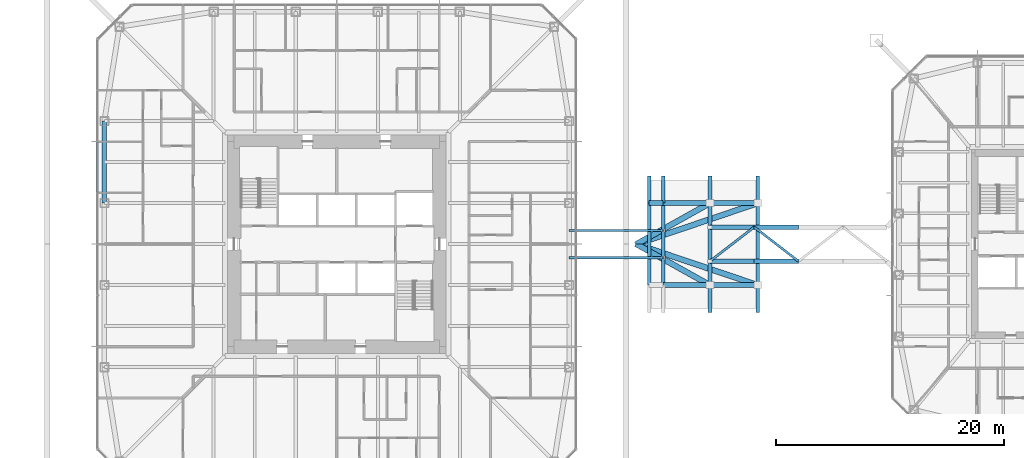
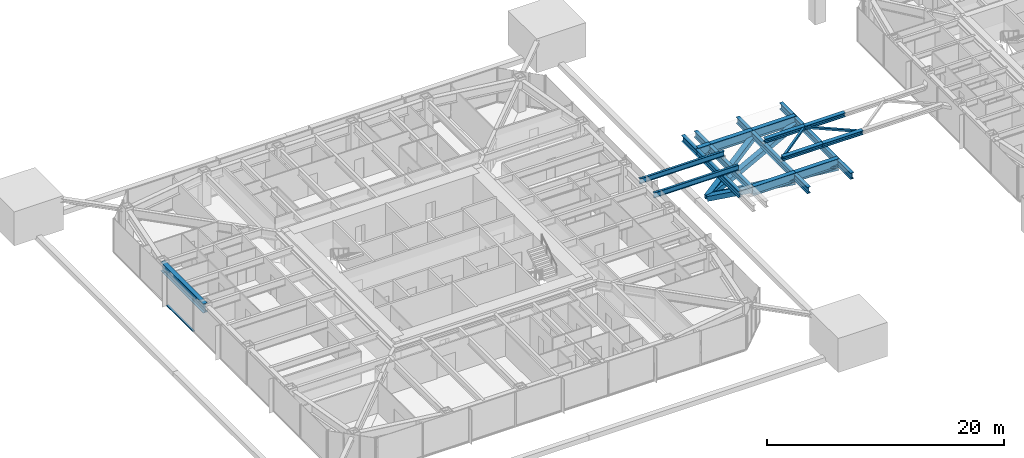
# One storey, part 5 of 26: 18 beams, 11 members, 1 element without a shape of its own.
"""IFC4 building model written with IfcOpenShell, lengths in metres."""

from ifc_helpers import new_model, si_unit, direction, frame, origin, origin_2d, place, context, subcontext, project, spatial, rectangle, hollow_rectangle, i_section, extrude, material, material_profile, profile_set, type_object, element, aggregate, save


model = new_model("IFC4")

# Units and contexts
model_context = context("Model", 3, precision=1e-05, world=origin(), true_north=direction((0.0, 1.0)))
body_context = subcontext(model_context, "Body", "Model", "MODEL_VIEW")
ifc_project = project(units=[si_unit("LENGTHUNIT", "METRE"), si_unit("AREAUNIT", "SQUARE_METRE"), si_unit("VOLUMEUNIT", "CUBIC_METRE"), si_unit("PLANEANGLEUNIT", "RADIAN"), si_unit("MASSUNIT", "GRAM", prefix="KILO")], contexts=[model_context])

# Site, building, storey
site_placement = place(None, origin())
site = spatial("IfcSite", under=ifc_project, at=site_placement, CompositionType="ELEMENT")
building_placement = place(site_placement, origin())
building = spatial("IfcBuilding", under=site, at=building_placement, Name="Iwan Alto Co-Living Towers", CompositionType="ELEMENT")
storey_placement = place(building_placement, frame((0.0, 0.0, 126.0)))
storey = spatial("IfcBuildingStorey", under=building, at=storey_placement, Name="L34", CompositionType="ELEMENT", Elevation=126.0)

# Beams
ifc_material_1 = material(Name="Steel ASTM A992 Gr 50", Category="steel")
ifc_material_profile_1 = material_profile(ifc_material_1, i_section(OverallWidth=0.2109375, OverallDepth=0.53857421875, WebThickness=0.011474609375, FlangeThickness=0.018798828125, at=origin_2d()), Name="W21X73")
ifc_profile_set_1 = profile_set([ifc_material_profile_1], Name="Steel ASTM A992 Gr 50")
beam_type_1 = type_object("IfcBeamType", Name="BRIDGE LANDING BEAM W21X73", PredefinedType="BEAM", material=ifc_profile_set_1)
for number, where, z_axis, x_axis, name in (
    (1, (20.39990234375, -1.194580078125, 3.03076171875), (1.0, 0.0, 0.0), (0.0, 1.0, 0.0), "BR2 walkway stringer S"),
    (2, (20.39990234375, 1.194580078125, 3.03076171875), (1.0, 0.0, 0.0), (0.0, 1.0, 0.0), "BR2 walkway stringer N"),
):
    element("IfcBeam", number, at=place(storey_placement, frame(where, z_axis=z_axis, x_axis=x_axis)), inside=storey, type_object=beam_type_1, Name=name, PredefinedType="BEAM", context=body_context, shape_type="SweptSolid", body=[
        extrude(i_section(OverallWidth=0.2109375, OverallDepth=0.53857421875, WebThickness=0.011474609375, FlangeThickness=0.018798828125, at=origin_2d()), origin(), (0.0, 0.0, 1.0), 8.25),
    ])

# Members
ifc_material_2 = material(Name="Steel ASTM A500 Gr C", Category="steel")
ifc_material_profile_2 = material_profile(ifc_material_2, hollow_rectangle(XDim=0.203125, YDim=0.203125, WallThickness=0.01171875, at=origin_2d()), Name="HSS8X8X1/2")
ifc_profile_set_2 = profile_set([ifc_material_profile_2], Name="Steel ASTM A500 Gr C")
member_type_1 = type_object("IfcMemberType", Name="BRIDGE PLAN BRACE HSS8X8X1/2", PredefinedType="BRACE", material=ifc_profile_set_2)
for number, where, z_axis, x_axis, name in (
    (3, (32.75, -1.5, 2.720947265625), (0.791673009044, 0.61094504397, 0.0), (-0.61094504397, 0.791673009044, 0.0), "BR2 plan brace 1"),
    (4, (36.637451171875, 1.5, 2.720947265625), (0.791673009044, -0.61094504397, 0.0), (0.61094504397, 0.791673009044, 0.0), "BR2 plan brace 2"),
):
    element("IfcMember", number, at=place(storey_placement, frame(where, z_axis=z_axis, x_axis=x_axis)), inside=storey, type_object=member_type_1, Name=name, PredefinedType="BRACE", context=body_context, shape_type="SweptSolid", body=[
        extrude(hollow_rectangle(XDim=0.203125, YDim=0.203125, WallThickness=0.01171875, at=origin_2d()), origin(), (0.0, 0.0, 1.0), 4.910400390625),
    ])

# Beams
ifc_material_3 = material(Name="Steel ASTM A992 Gr 50", Category="steel")
ifc_material_profile_3 = material_profile(ifc_material_3, i_section(OverallWidth=0.424072265625, OverallDepth=0.947509765625, WebThickness=0.02392578125, FlangeThickness=0.042724609375, at=origin_2d()), Name="W36X302")
ifc_profile_set_3 = profile_set([ifc_material_profile_3], Name="Steel ASTM A992 Gr 50")
beam_type_2 = type_object("IfcBeamType", Name="BRIDGE POD EDGE GIRDER W36X302", PredefinedType="BEAM", material=ifc_profile_set_3)
beam_1_placement = place(storey_placement, frame((28.64990234375, -3.60009765625, 2.11767578125), z_axis=(1.0, 0.0, 0.0), x_axis=(0.0, 1.0, 0.0)))
element("IfcBeam", 5, at=beam_1_placement, inside=storey, type_object=beam_type_2, Name="BR2 landing grillage edge girder S 2", PredefinedType="BEAM", context=body_context, shape_type="SweptSolid", body=[
    extrude(i_section(OverallWidth=0.424072265625, OverallDepth=0.947509765625, WebThickness=0.02392578125, FlangeThickness=0.042724609375, at=origin_2d()), origin(), (0.0, 0.0, 1.0), 4.10009765625),
])
beam_2_placement = place(storey_placement, frame((32.75, -3.60009765625, 2.11767578125), z_axis=(1.0, 0.0, 0.0), x_axis=(0.0, 1.0, 0.0)))
element("IfcBeam", 6, at=beam_2_placement, inside=storey, type_object=beam_type_2, Name="BR2 landing grillage edge girder S 3", PredefinedType="BEAM", context=body_context, shape_type="SweptSolid", body=[
    extrude(i_section(OverallWidth=0.424072265625, OverallDepth=0.947509765625, WebThickness=0.02392578125, FlangeThickness=0.042724609375, at=origin_2d()), origin(), (0.0, 0.0, 1.0), 4.199951171875),
])
beam_3_placement = place(storey_placement, frame((27.423828125, 3.60009765625, 2.11767578125), z_axis=(1.0, 0.0, 0.0), x_axis=(0.0, 1.0, 0.0)))
element("IfcBeam", 7, at=beam_3_placement, inside=storey, type_object=beam_type_2, Name="BR2 landing grillage edge girder N 1", PredefinedType="BEAM", context=body_context, shape_type="SweptSolid", body=[
    extrude(i_section(OverallWidth=0.424072265625, OverallDepth=0.947509765625, WebThickness=0.02392578125, FlangeThickness=0.042724609375, at=origin_2d()), origin(), (0.0, 0.0, 1.0), 1.22607421875),
])
beam_4_placement = place(storey_placement, frame((28.64990234375, 3.60009765625, 2.11767578125), z_axis=(1.0, 0.0, 0.0), x_axis=(0.0, 1.0, 0.0)))
element("IfcBeam", 8, at=beam_4_placement, inside=storey, type_object=beam_type_2, Name="BR2 landing grillage edge girder N 2", PredefinedType="BEAM", context=body_context, shape_type="SweptSolid", body=[
    extrude(i_section(OverallWidth=0.424072265625, OverallDepth=0.947509765625, WebThickness=0.02392578125, FlangeThickness=0.042724609375, at=origin_2d()), origin(), (0.0, 0.0, 1.0), 4.10009765625),
])
beam_5_placement = place(storey_placement, frame((32.75, 3.60009765625, 2.11767578125), z_axis=(1.0, 0.0, 0.0), x_axis=(0.0, 1.0, 0.0)))
element("IfcBeam", 9, at=beam_5_placement, inside=storey, type_object=beam_type_2, Name="BR2 landing grillage edge girder N 3", PredefinedType="BEAM", context=body_context, shape_type="SweptSolid", body=[
    extrude(i_section(OverallWidth=0.424072265625, OverallDepth=0.947509765625, WebThickness=0.02392578125, FlangeThickness=0.042724609375, at=origin_2d()), origin(), (0.0, 0.0, 1.0), 4.199951171875),
])
ifc_material_4 = material(Name="Steel ASTM A992 Gr 50", Category="steel")
ifc_material_profile_4 = material_profile(ifc_material_4, i_section(OverallWidth=0.32763671875, OverallDepth=0.64013671875, WebThickness=0.01904296875, FlangeThickness=0.033935546875, at=origin_2d()), Name="W24X176")
ifc_profile_set_4 = profile_set([ifc_material_profile_4], Name="Steel ASTM A992 Gr 50")
beam_type_3 = type_object("IfcBeamType", Name="BRIDGE POD GRILLAGE GIRDER W24X176", PredefinedType="BEAM", material=ifc_profile_set_4)
beam_6_placement = place(storey_placement, frame((27.423828125, -3.60009765625, 2.11767578125), z_axis=(0.0, 1.0, 0.0), x_axis=(-1.0, 0.0, 0.0)))
element("IfcBeam", 10, at=beam_6_placement, inside=storey, type_object=beam_type_3, Name="BR2 landing grillage girder 2", PredefinedType="BEAM", context=body_context, shape_type="SweptSolid", body=[
    extrude(i_section(OverallWidth=0.32763671875, OverallDepth=0.64013671875, WebThickness=0.01904296875, FlangeThickness=0.033935546875, at=origin_2d()), origin(), (0.0, 0.0, 1.0), 7.2001953125),
])
beam_7_placement = place(storey_placement, frame((27.423828125, 3.60009765625, 2.11767578125), z_axis=(0.0, 1.0, 0.0), x_axis=(-1.0, 0.0, 0.0)))
element("IfcBeam", 11, at=beam_7_placement, inside=storey, type_object=beam_type_3, Name="BR2 landing grillage girder 3", PredefinedType="BEAM", context=body_context, shape_type="SweptSolid", body=[
    extrude(i_section(OverallWidth=0.32763671875, OverallDepth=0.64013671875, WebThickness=0.01904296875, FlangeThickness=0.033935546875, at=origin_2d()), origin(), (0.0, 0.0, 1.0), 2.39990234375),
])
beam_8_placement = place(storey_placement, frame((28.64990234375, -3.60009765625, 2.11767578125), z_axis=(0.0, 1.0, 0.0), x_axis=(-1.0, 0.0, 0.0)))
element("IfcBeam", 12, at=beam_8_placement, inside=storey, type_object=beam_type_3, Name="BR2 landing grillage girder 2", PredefinedType="BEAM", context=body_context, shape_type="SweptSolid", body=[
    extrude(i_section(OverallWidth=0.32763671875, OverallDepth=0.64013671875, WebThickness=0.01904296875, FlangeThickness=0.033935546875, at=origin_2d()), origin(), (0.0, 0.0, 1.0), 7.2001953125),
])
for number, where, z_axis, x_axis, name in (
    (13, (28.64990234375, 3.60009765625, 2.11767578125), (0.0, 1.0, 0.0), (-1.0, 0.0, 0.0), "BR2 landing grillage girder 3"),
    (14, (32.75, -6.0, 2.11767578125), (0.0, 1.0, 0.0), (-1.0, 0.0, 0.0), "BR2 landing grillage girder 1"),
):
    element("IfcBeam", number, at=place(storey_placement, frame(where, z_axis=z_axis, x_axis=x_axis)), inside=storey, type_object=beam_type_3, Name=name, PredefinedType="BEAM", context=body_context, shape_type="SweptSolid", body=[
        extrude(i_section(OverallWidth=0.32763671875, OverallDepth=0.64013671875, WebThickness=0.01904296875, FlangeThickness=0.033935546875, at=origin_2d()), origin(), (0.0, 0.0, 1.0), 2.39990234375),
    ])
beam_9_placement = place(storey_placement, frame((32.75, -3.60009765625, 2.11767578125), z_axis=(0.0, 1.0, 0.0), x_axis=(-1.0, 0.0, 0.0)))
element("IfcBeam", 15, at=beam_9_placement, inside=storey, type_object=beam_type_3, Name="BR2 landing grillage girder 2", PredefinedType="BEAM", context=body_context, shape_type="SweptSolid", body=[
    extrude(i_section(OverallWidth=0.32763671875, OverallDepth=0.64013671875, WebThickness=0.01904296875, FlangeThickness=0.033935546875, at=origin_2d()), origin(), (0.0, 0.0, 1.0), 7.2001953125),
])
for number, where, z_axis, x_axis, name in (
    (16, (32.75, 3.60009765625, 2.11767578125), (0.0, 1.0, 0.0), (-1.0, 0.0, 0.0), "BR2 landing grillage girder 3"),
    (17, (36.949951171875, -6.0, 2.11767578125), (0.0, 1.0, 0.0), (-1.0, 0.0, 0.0), "BR2 landing grillage girder 1"),
):
    element("IfcBeam", number, at=place(storey_placement, frame(where, z_axis=z_axis, x_axis=x_axis)), inside=storey, type_object=beam_type_3, Name=name, PredefinedType="BEAM", context=body_context, shape_type="SweptSolid", body=[
        extrude(i_section(OverallWidth=0.32763671875, OverallDepth=0.64013671875, WebThickness=0.01904296875, FlangeThickness=0.033935546875, at=origin_2d()), origin(), (0.0, 0.0, 1.0), 2.39990234375),
    ])
beam_10_placement = place(storey_placement, frame((36.949951171875, -3.60009765625, 2.11767578125), z_axis=(0.0, 1.0, 0.0), x_axis=(-1.0, 0.0, 0.0)))
element("IfcBeam", 18, at=beam_10_placement, inside=storey, type_object=beam_type_3, Name="BR2 landing grillage girder 2", PredefinedType="BEAM", context=body_context, shape_type="SweptSolid", body=[
    extrude(i_section(OverallWidth=0.32763671875, OverallDepth=0.64013671875, WebThickness=0.01904296875, FlangeThickness=0.033935546875, at=origin_2d()), origin(), (0.0, 0.0, 1.0), 7.2001953125),
])
beam_11_placement = place(storey_placement, frame((36.949951171875, 3.60009765625, 2.11767578125), z_axis=(0.0, 1.0, 0.0), x_axis=(-1.0, 0.0, 0.0)))
element("IfcBeam", 19, at=beam_11_placement, inside=storey, type_object=beam_type_3, Name="BR2 landing grillage girder 3", PredefinedType="BEAM", context=body_context, shape_type="SweptSolid", body=[
    extrude(i_section(OverallWidth=0.32763671875, OverallDepth=0.64013671875, WebThickness=0.01904296875, FlangeThickness=0.033935546875, at=origin_2d()), origin(), (0.0, 0.0, 1.0), 2.39990234375),
])

# Members
ifc_material_5 = material(Name="Steel ASTM A572 Gr 50", Category="steel")
ifc_material_profile_5 = material_profile(ifc_material_5, hollow_rectangle(XDim=0.5, YDim=0.5, WallThickness=0.031982421875, at=origin_2d()), Name="BOX 500X500X32")
ifc_profile_set_5 = profile_set([ifc_material_profile_5], Name="Steel ASTM A572 Gr 50")
member_type_2 = type_object("IfcMemberType", Name="BRIDGE POD STRUT BOX 500X500X32", PredefinedType="STRUT", material=ifc_profile_set_5)
member_1_placement = place(storey_placement, frame((26.300048828125, 0.0, 0.0), z_axis=(0.852334535708, -0.475738107557, 0.217253520703), x_axis=(0.487379052747, 0.873190505528, 0.0)))
element("IfcMember", 20, at=member_1_placement, inside=storey, type_object=member_type_2, Name="BR2 landing strut S", PredefinedType="STRUT", context=body_context, shape_type="SweptSolid", body=[
    extrude(hollow_rectangle(XDim=0.5, YDim=0.5, WallThickness=0.031982421875, at=origin_2d()), origin(), (0.0, 0.0, 1.0), 7.5673828125),
])
member_2_placement = place(storey_placement, frame((26.300048828125, 0.0, 0.0), z_axis=(0.937366476396, -0.316867774539, 0.144702807117), x_axis=(0.320238229803, 0.947337044653, 0.0)))
element("IfcMember", 21, at=member_2_placement, inside=storey, type_object=member_type_2, Name="BR2 landing tip strut S", PredefinedType="STRUT", context=body_context, shape_type="SweptSolid", body=[
    extrude(hollow_rectangle(XDim=0.5, YDim=0.5, WallThickness=0.031982421875, at=origin_2d()), origin(), (0.0, 0.0, 1.0), 11.361572265625),
])
member_3_placement = place(storey_placement, frame((26.300048828125, 0.0, 0.0), z_axis=(0.852334535708, 0.475738107557, 0.217253520703), x_axis=(-0.487379052747, 0.873190505528, 0.0)))
element("IfcMember", 22, at=member_3_placement, inside=storey, type_object=member_type_2, Name="BR2 landing strut N", PredefinedType="STRUT", context=body_context, shape_type="SweptSolid", body=[
    extrude(hollow_rectangle(XDim=0.5, YDim=0.5, WallThickness=0.031982421875, at=origin_2d()), origin(), (0.0, 0.0, 1.0), 7.5673828125),
])
member_4_placement = place(storey_placement, frame((26.300048828125, 0.0, 0.0), z_axis=(0.937366476396, 0.316867774539, 0.144702807117), x_axis=(-0.320238229803, 0.947337044653, 0.0)))
element("IfcMember", 23, at=member_4_placement, inside=storey, type_object=member_type_2, Name="BR2 landing tip strut N", PredefinedType="STRUT", context=body_context, shape_type="SweptSolid", body=[
    extrude(hollow_rectangle(XDim=0.5, YDim=0.5, WallThickness=0.031982421875, at=origin_2d()), origin(), (0.0, 0.0, 1.0), 11.361572265625),
])
ifc_material_6 = material(Name="Steel ASTM A992 Gr 50", Category="steel")
ifc_material_profile_6 = material_profile(ifc_material_6, i_section(OverallWidth=0.40380859375, OverallDepth=0.406494140625, WebThickness=0.027099609375, FlangeThickness=0.043701171875, at=origin_2d()), Name="W14X233")
ifc_profile_set_6 = profile_set([ifc_material_profile_6], Name="Steel ASTM A992 Gr 50")
member_type_3 = type_object("IfcMemberType", Name="BRIDGE TRUSS CHORD W14X233", PredefinedType="CHORD", material=ifc_profile_set_6)
for number, where, z_axis, x_axis, name in (
    (24, (32.75, -1.5, 2.720947265625), (1.0, 0.0, 0.0), (0.0, 1.0, 0.0), "BR2 truss S bottom chord 1"),
    (25, (36.637451171875, -1.5, 2.720947265625), (1.0, 0.0, 0.0), (0.0, 1.0, 0.0), "BR2 truss S bottom chord 2"),
    (26, (32.75, 1.5, 2.720947265625), (1.0, 0.0, 0.0), (0.0, 1.0, 0.0), "BR2 truss N bottom chord 1"),
    (27, (36.637451171875, 1.5, 2.720947265625), (1.0, 0.0, 0.0), (0.0, 1.0, 0.0), "BR2 truss N bottom chord 2"),
):
    element("IfcMember", number, at=place(storey_placement, frame(where, z_axis=z_axis, x_axis=x_axis)), inside=storey, type_object=member_type_3, Name=name, PredefinedType="CHORD", context=body_context, shape_type="SweptSolid", body=[
        extrude(i_section(OverallWidth=0.40380859375, OverallDepth=0.406494140625, WebThickness=0.027099609375, FlangeThickness=0.043701171875, at=origin_2d()), origin(), (0.0, 0.0, 1.0), 3.887451171875),
    ])

# Curtain wall, member
ifc_material_7 = material(Name="Bronze aluminium unitised frame", Category="aluminium")
curtain_wall_type = type_object("IfcCurtainWallType", Name="CURTAIN WALL CW-A", PredefinedType="NOTDEFINED", material=ifc_material_7)
curtain_wall_placement = place(storey_placement, origin())
curtain_wall = element("IfcCurtainWall", 28, at=curtain_wall_placement, inside=storey, type_object=curtain_wall_type, Name="T1 curtain wall W L34", PredefinedType="NOTDEFINED")
ifc_material_8 = material(Name="Aluminium 6063-T6 bronze anodised", Category="aluminium")
ifc_material_profile_7 = material_profile(ifc_material_8, rectangle(XDim=0.199951171875, YDim=0.10009765625, at=origin_2d()), Name="AL 200X100")
ifc_profile_set_7 = profile_set([ifc_material_profile_7], Name="Aluminium 6063-T6 bronze anodised")
member_type_4 = type_object("IfcMemberType", Name="CW-A TRANSOM 200X100", PredefinedType="USERDEFINED", material=ifc_profile_set_7)
member_5_placement = place(storey_placement, frame((-21.0, 8.9599609375, 0.050048828125), z_axis=(0.0, -1.0, 0.0), x_axis=(1.0, 0.0, 0.0)))
member_5 = element("IfcMember", 29, at=member_5_placement, type_object=member_type_4, Name="CW-A transom 3.1", ObjectType="TRANSOM", PredefinedType="USERDEFINED", context=body_context, shape_type="SweptSolid", body=[
    extrude(rectangle(XDim=0.199951171875, YDim=0.10009765625, at=origin_2d()), origin(), (0.0, 0.0, 1.0), 4.419921875),
])
aggregate(curtain_wall, [member_5])

# Beam
ifc_material_9 = material(Name="Steel ASTM A992 Gr 50", Category="steel")
ifc_material_profile_8 = material_profile(ifc_material_9, i_section(OverallWidth=0.424072265625, OverallDepth=0.947509765625, WebThickness=0.02392578125, FlangeThickness=0.042724609375, at=origin_2d()), Name="W36X302")
ifc_profile_set_8 = profile_set([ifc_material_profile_8], Name="Steel ASTM A992 Gr 50")
beam_type_4 = type_object("IfcBeamType", Name="T1 EDGE BEAM W36X302", PredefinedType="BEAM", material=ifc_profile_set_8)
beam_12_placement = place(storey_placement, frame((-20.39990234375, 10.800048828125, 2.79638671875), z_axis=(0.0, -1.0, 0.0), x_axis=(1.0, 0.0, 0.0)))
element("IfcBeam", 30, at=beam_12_placement, inside=storey, type_object=beam_type_4, Name="T1 edge beam W1 L35", PredefinedType="BEAM", context=body_context, shape_type="SweptSolid", body=[
    extrude(i_section(OverallWidth=0.424072265625, OverallDepth=0.947509765625, WebThickness=0.02392578125, FlangeThickness=0.042724609375, at=origin_2d()), origin(), (0.0, 0.0, 1.0), 7.199951171875),
])

save(model, "model.ifc")
